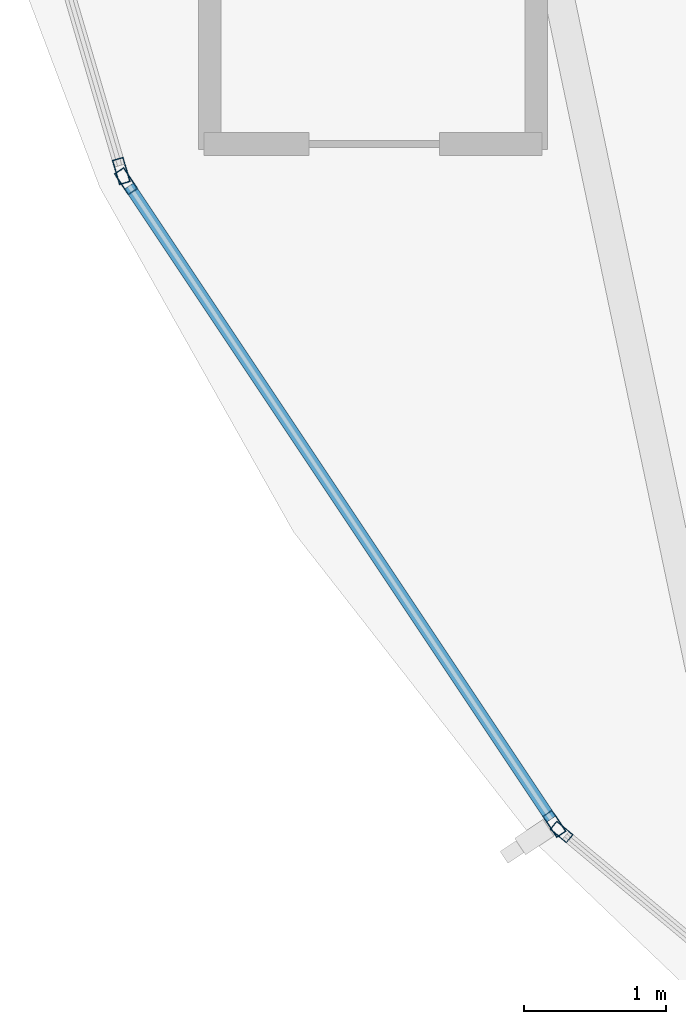
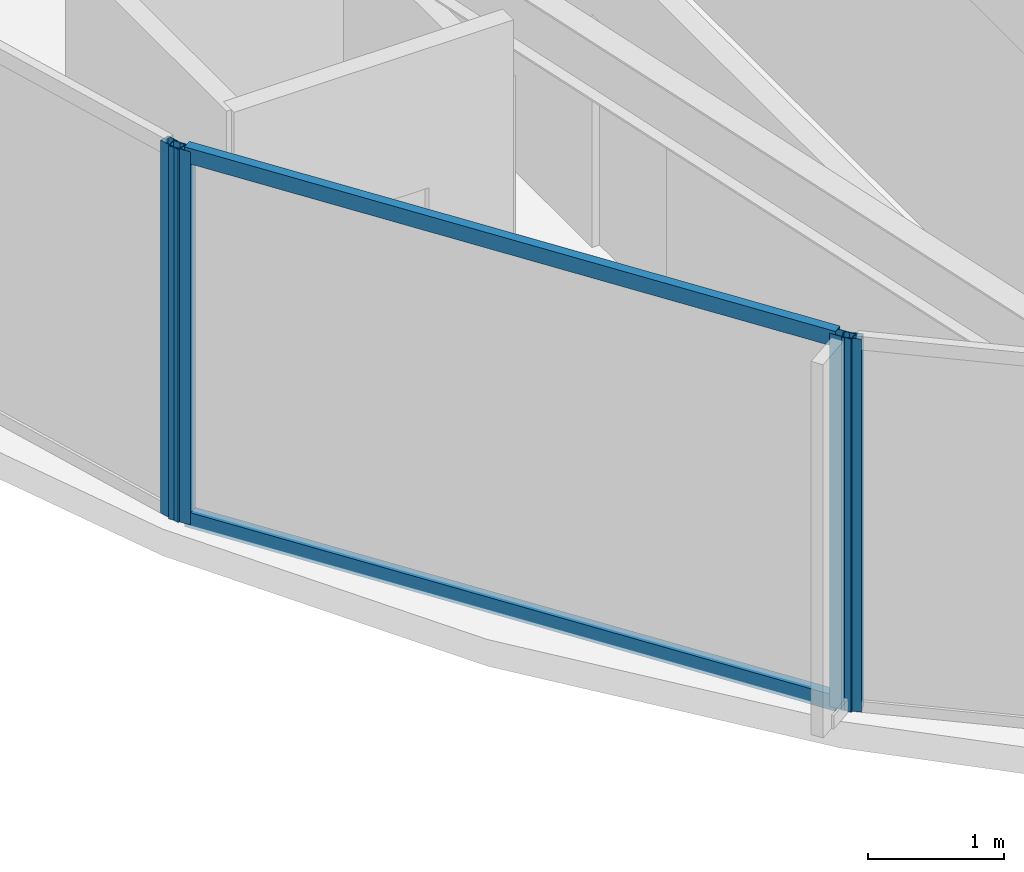
# One storey, part 3 of 31: 6 members, 3 elements without a shape of their own.
"""IFC4 building model written with IfcOpenShell, lengths in metres."""

from ifc_helpers import new_model, si_unit, direction, frame, origin, origin_2d, place, context, subcontext, project, spatial, hollow_rectangle, extrude, material, layer, layer_set, material_profile, profile_set, type_object, element, aggregate, save


model = new_model("IFC4")

# Units and contexts
model_context = context("Model", 3, precision=1e-05, world=origin(), true_north=direction((0.0, 1.0)))
body_context = subcontext(model_context, "Body", "Model", "MODEL_VIEW")
ifc_project = project(units=[si_unit("LENGTHUNIT", "METRE"), si_unit("AREAUNIT", "SQUARE_METRE"), si_unit("VOLUMEUNIT", "CUBIC_METRE"), si_unit("PLANEANGLEUNIT", "RADIAN"), si_unit("MASSUNIT", "GRAM", prefix="KILO")], contexts=[model_context])

# Site, building, storey
site_placement = place(None, origin())
site = spatial("IfcSite", under=ifc_project, at=site_placement, CompositionType="ELEMENT")
building_placement = place(site_placement, origin())
building = spatial("IfcBuilding", under=site, at=building_placement, Name="Kazevale Care Tower and Concert Hall", CompositionType="ELEMENT")
storey_placement = place(building_placement, frame((0.0, 0.0, 220.800048828125)))
storey = spatial("IfcBuildingStorey", under=building, at=storey_placement, Name="L58", CompositionType="ELEMENT", Elevation=220.800048828125)

# Curtain wall, members
ifc_material_1 = material(Name="Aluminium 6063-T6 and Low-E Glass", Category="aluminium")
ifc_layer_1 = layer(ifc_material_1, 0.179931640625)
ifc_layer_set_1 = layer_set([ifc_layer_1], Name="Aluminium 6063-T6 and Low-E Glass")
curtain_wall_type_1 = type_object("IfcCurtainWallType", Name="Waist & Upper Residential Curtain Wall CW-4", PredefinedType="NOTDEFINED", material=ifc_layer_set_1)
curtain_wall_1_placement = place(storey_placement, origin())
curtain_wall_1 = element("IfcCurtainWall", 1, at=curtain_wall_1_placement, inside=storey, type_object=curtain_wall_type_1, Name="cw:L58:f11", PredefinedType="NOTDEFINED")
ifc_material_2 = material(Name="Aluminium 6063-T6", Category="aluminium")
ifc_material_profile_1 = material_profile(ifc_material_2, hollow_rectangle(XDim=0.080078125, YDim=0.179931640625, WallThickness=0.0048828125, at=origin_2d()), Name="ALU80x180x5")
ifc_profile_set_1 = profile_set([ifc_material_profile_1], Name="Aluminium 6063-T6")
member_type_1 = type_object("IfcMemberType", Name="CW-4 Mullion ALU80x180x5", PredefinedType="MULLION", material=ifc_profile_set_1)
member_1_placement = place(storey_placement, frame((18.185791015625, 25.26318359375, 0.0), z_axis=(0.0, 0.0, 1.0), x_axis=(-0.832106058512, -0.554616540853, 0.0)))
member_1 = element("IfcMember", 2, at=member_1_placement, type_object=member_type_1, Name="CW-4 mullion 1", PredefinedType="MULLION", context=body_context, shape_type="SweptSolid", body=[
    extrude(hollow_rectangle(XDim=0.080078125, YDim=0.179931640625, WallThickness=0.0048828125, at=origin_2d()), origin(), (0.0, 0.0, 1.0), 3.35986328125),
])
member_2_placement = place(storey_placement, frame((15.170166015625, 29.78759765625, 0.0), z_axis=(0.0, 0.0, 1.0), x_axis=(-0.832106058512, -0.554616540853, 0.0)))
member_2 = element("IfcMember", 3, at=member_2_placement, type_object=member_type_1, Name="CW-4 mullion 2", PredefinedType="MULLION", context=body_context, shape_type="SweptSolid", body=[
    extrude(hollow_rectangle(XDim=0.080078125, YDim=0.179931640625, WallThickness=0.0048828125, at=origin_2d()), origin(), (0.0, 0.0, 1.0), 3.35986328125),
])

# Curtain wall, member
curtain_wall_2_placement = place(storey_placement, origin())
curtain_wall_2 = element("IfcCurtainWall", 4, at=curtain_wall_2_placement, inside=storey, type_object=curtain_wall_type_1, Name="cw:L58:f12", PredefinedType="NOTDEFINED")
member_3_placement = place(storey_placement, frame((15.13671875, 29.859375, 0.0), z_axis=(0.0, 0.0, 1.0), x_axis=(-0.959385539982, -0.282098184457, 0.0)))
member_3 = element("IfcMember", 5, at=member_3_placement, type_object=member_type_1, Name="CW-4 mullion 1", PredefinedType="MULLION", context=body_context, shape_type="SweptSolid", body=[
    extrude(hollow_rectangle(XDim=0.080078125, YDim=0.179931640625, WallThickness=0.0048828125, at=origin_2d()), origin(), (0.0, 0.0, 1.0), 3.35986328125),
])
aggregate(curtain_wall_2, [member_3])

# Member
ifc_material_profile_2 = material_profile(ifc_material_2, hollow_rectangle(XDim=0.080078125, YDim=0.139892578125, WallThickness=0.00390625, at=origin_2d()), Name="ALU80x140x4")
ifc_profile_set_2 = profile_set([ifc_material_profile_2], Name="Aluminium 6063-T6")
member_type_2 = type_object("IfcMemberType", Name="CW-4 Transom ALU80x140x4", PredefinedType="USERDEFINED", material=ifc_profile_set_2)
member_4_placement = place(storey_placement, frame((18.16357421875, 25.296630859375, 0.0400390625), z_axis=(-0.554616059735, 0.832106379187, 0.0), x_axis=(-0.832106379187, -0.554616059735, 0.0)))
member_4 = element("IfcMember", 6, at=member_4_placement, type_object=member_type_2, Name="CW-4 transom 1.1", ObjectType="TRANSOM", PredefinedType="USERDEFINED", context=body_context, shape_type="SweptSolid", body=[
    extrude(hollow_rectangle(XDim=0.080078125, YDim=0.139892578125, WallThickness=0.00390625, at=origin_2d()), origin(), (0.0, 0.0, 1.0), 5.357177734375),
])

member_5_placement = place(storey_placement, frame((18.16357421875, 25.296630859375, 3.320068359375), z_axis=(-0.554616059735, 0.832106379187, 0.0), x_axis=(-0.832106379187, -0.554616059735, 0.0)))
member_5 = element("IfcMember", 7, at=member_5_placement, type_object=member_type_2, Name="CW-4 transom 1.2", ObjectType="TRANSOM", PredefinedType="USERDEFINED", context=body_context, shape_type="SweptSolid", body=[
    extrude(hollow_rectangle(XDim=0.080078125, YDim=0.139892578125, WallThickness=0.00390625, at=origin_2d()), origin(), (0.0, 0.0, 1.0), 5.357177734375),
])

aggregate(curtain_wall_1, [member_1, member_2, member_4, member_5])

# Curtain wall, member
ifc_layer_2 = layer(ifc_material_1, 0.179931640625)
ifc_layer_set_2 = layer_set([ifc_layer_2], Name="Aluminium 6063-T6 and Low-E Glass")
curtain_wall_type_2 = type_object("IfcCurtainWallType", Name="Sheltered Concave Balcony Curtain Wall CW-5", PredefinedType="NOTDEFINED", material=ifc_layer_set_2)
curtain_wall_3_placement = place(storey_placement, origin())
curtain_wall_3 = element("IfcCurtainWall", 8, at=curtain_wall_3_placement, inside=storey, type_object=curtain_wall_type_2, Name="cw:L58:f10", PredefinedType="NOTDEFINED")
ifc_material_profile_3 = material_profile(ifc_material_2, hollow_rectangle(XDim=0.074951171875, YDim=0.14990234375, WallThickness=0.00390625, at=origin_2d()), Name="ALU75x150x4")
ifc_profile_set_3 = profile_set([ifc_material_profile_3], Name="Aluminium 6063-T6")
member_type_3 = type_object("IfcMemberType", Name="CW-5 Mullion ALU75x150x4", PredefinedType="MULLION", material=ifc_profile_set_3)
member_6_placement = place(storey_placement, frame((18.23681640625, 25.2060546875, 0.0), z_axis=(0.0, 0.0, 1.0), x_axis=(-0.639961217204, -0.768407210062, 0.0)))
member_6 = element("IfcMember", 9, at=member_6_placement, type_object=member_type_3, Name="CW-5 mullion 2", PredefinedType="MULLION", context=body_context, shape_type="SweptSolid", body=[
    extrude(hollow_rectangle(XDim=0.074951171875, YDim=0.14990234375, WallThickness=0.00390625, at=origin_2d()), origin(), (0.0, 0.0, 1.0), 3.35986328125),
])
aggregate(curtain_wall_3, [member_6])

save(model, "model.ifc")
